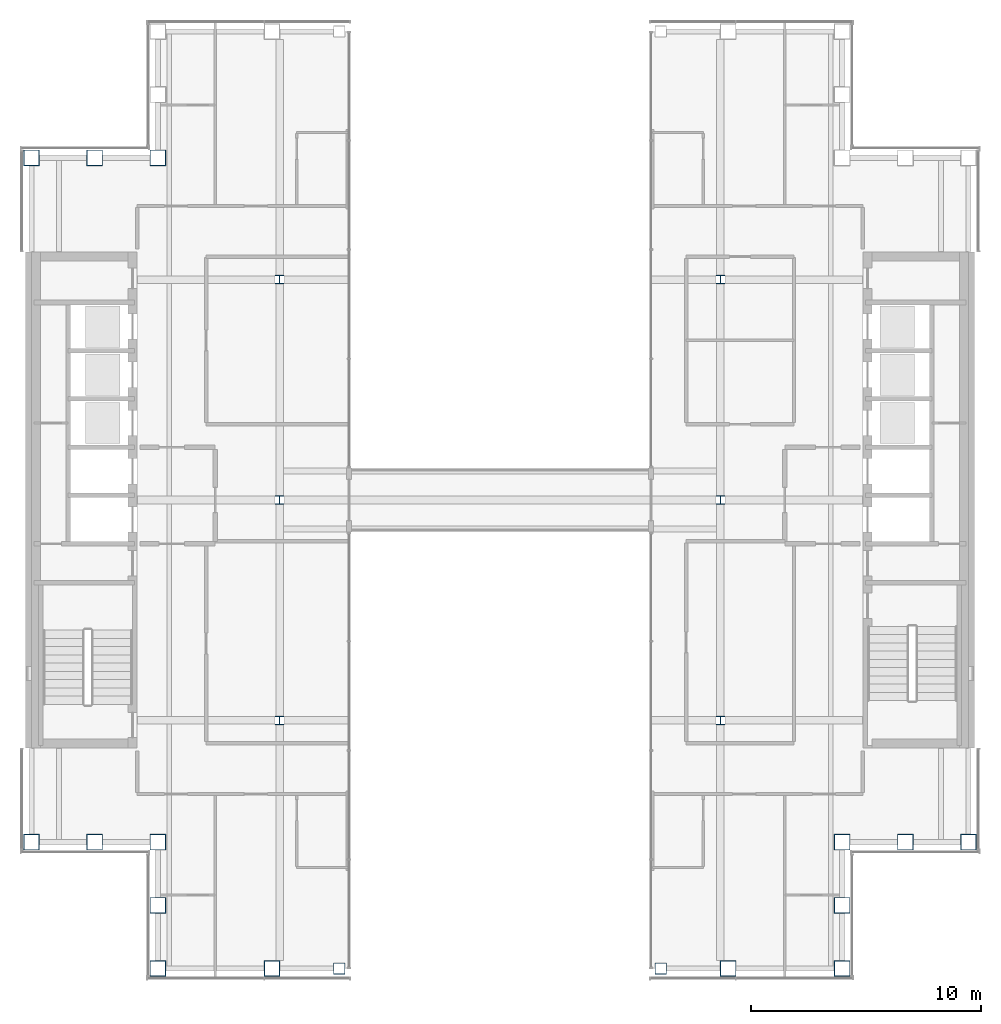
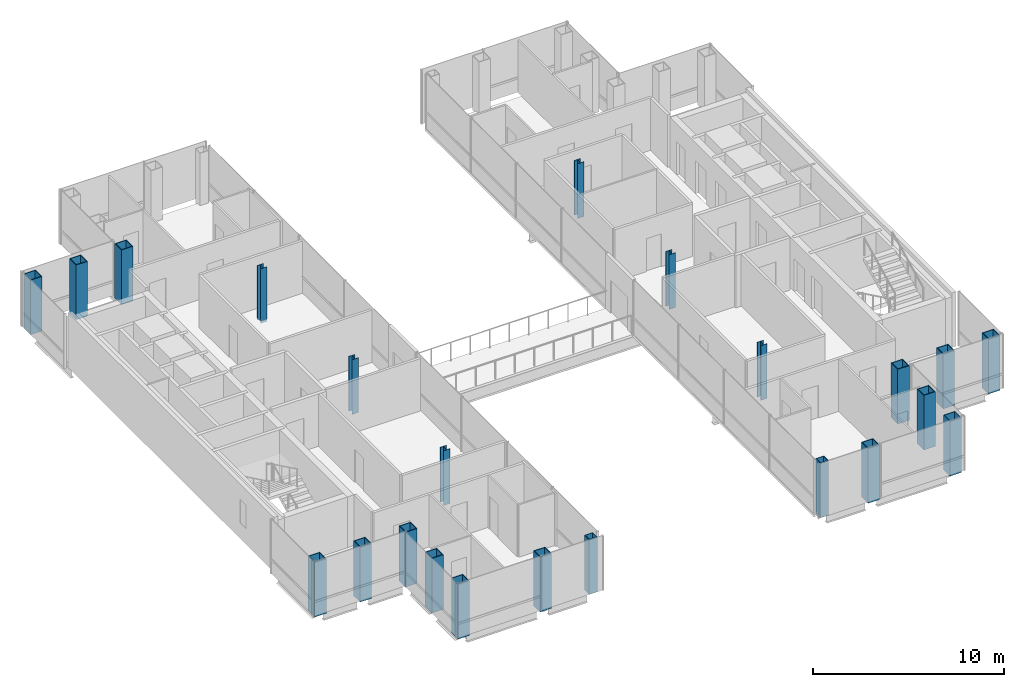
# One storey, part 1 of 15: 23 columns.
"""IFC4 building model written with IfcOpenShell, lengths in metres."""

from ifc_helpers import new_model, si_unit, direction, frame, origin, origin_2d, place, context, subcontext, project, spatial, hollow_rectangle, i_section, extrude, material, material_profile, profile_set, type_object, element, save


model = new_model("IFC4")

# Units and contexts
model_context = context("Model", 3, precision=1e-05, world=origin(), true_north=direction((0.0, 1.0)))
body_context = subcontext(model_context, "Body", "Model", "MODEL_VIEW")
ifc_project = project(units=[si_unit("LENGTHUNIT", "METRE"), si_unit("AREAUNIT", "SQUARE_METRE"), si_unit("VOLUMEUNIT", "CUBIC_METRE"), si_unit("PLANEANGLEUNIT", "RADIAN"), si_unit("MASSUNIT", "GRAM", prefix="KILO")], contexts=[model_context])

# Site, building, storey
site_placement = place(None, origin())
site = spatial("IfcSite", under=ifc_project, at=site_placement, CompositionType="ELEMENT")
building_placement = place(site_placement, origin())
building = spatial("IfcBuilding", under=site, at=building_placement, Name="Cobrizo Arcos Hotel Tower", CompositionType="ELEMENT")
storey_placement = place(building_placement, frame((0.0, 0.0, 222.5)))
storey = spatial("IfcBuildingStorey", under=building, at=storey_placement, Name="L58", CompositionType="ELEMENT", Elevation=222.5)

# Columns
ifc_material_1 = material(Name="Steel ASTM A572 Grade 50", Category="steel")
ifc_material_profile_1 = material_profile(ifc_material_1, hollow_rectangle(XDim=0.5, YDim=0.5, WallThickness=0.030029296875, at=origin_2d()), Name="BOX 500X500X30")
ifc_profile_set_1 = profile_set([ifc_material_profile_1], Name="Steel ASTM A572 Grade 50")
column_type_1 = type_object("IfcColumnType", Name="BOX 500X500X30 column", PredefinedType="COLUMN", material=ifc_profile_set_1)
for number, where, z_axis, x_axis, name in (
    (1, (-7.0, -20.39990234375, -0.14990234375), (0.0, 0.0, 1.0), (1.0, 0.0, 0.0), "Perimeter column C11, L58, no. 25"),
    (2, (7.0, -20.39990234375, -0.14990234375), (0.0, 0.0, 1.0), (1.0, 0.0, 0.0), "Perimeter column C11, L58, no. 27"),
):
    element("IfcColumn", number, at=place(storey_placement, frame(where, z_axis=z_axis, x_axis=x_axis)), inside=storey, type_object=column_type_1, Name=name, PredefinedType="COLUMN", context=body_context, shape_type="SweptSolid", body=[
        extrude(hollow_rectangle(XDim=0.5, YDim=0.5, WallThickness=0.030029296875, at=origin_2d()), origin(), (0.0, 0.0, 1.0), 3.5),
    ])
ifc_material_profile_2 = material_profile(ifc_material_1, hollow_rectangle(XDim=0.699951171875, YDim=0.699951171875, WallThickness=0.0400390625, at=origin_2d()), Name="BOX 700X700X40")
ifc_profile_set_2 = profile_set([ifc_material_profile_2], Name="Steel ASTM A572 Grade 50")
column_type_2 = type_object("IfcColumnType", Name="BOX 700X700X40 column", PredefinedType="COLUMN", material=ifc_profile_set_2)
for number, where, z_axis, x_axis, name in (
    (3, (-14.89990234375, -20.39990234375, -0.14990234375), (0.0, 0.0, 1.0), (1.0, 0.0, 0.0), "Perimeter column C10, L58, no. 01"),
    (4, (-9.93310546875, -20.39990234375, -0.14990234375), (0.0, 0.0, 1.0), (1.0, 0.0, 0.0), "Perimeter column C10, L58, no. 03"),
    (5, (9.93310546875, -20.39990234375, -0.14990234375), (0.0, 0.0, 1.0), (1.0, 0.0, 0.0), "Perimeter column C10, L58, no. 05"),
    (6, (14.89990234375, -20.39990234375, -0.14990234375), (0.0, 0.0, 1.0), (1.0, 0.0, 0.0), "Perimeter column C10, L58, no. 07"),
    (7, (20.39990234375, -14.89990234375, -0.14990234375), (0.0, 0.0, 1.0), (1.0, 0.0, 0.0), "Perimeter column C10, L58, no. 08"),
    (8, (-20.39990234375, -14.89990234375, -0.14990234375), (0.0, 0.0, 1.0), (1.0, 0.0, 0.0), "Perimeter column C10, L58, no. 09"),
    (9, (-20.39990234375, 14.89990234375, -0.14990234375), (0.0, 0.0, 1.0), (1.0, 0.0, 0.0), "Perimeter column C10, L58, no. 11"),
    (10, (-14.89990234375, -14.89990234375, -0.14990234375), (0.0, 0.0, 1.0), (1.0, 0.0, 0.0), "Perimeter column C10, L58, no. 12"),
    (11, (-14.89990234375, -17.64990234375, -0.14990234375), (0.0, 0.0, 1.0), (1.0, 0.0, 0.0), "Perimeter column C10, L58, no. 13"),
    (12, (-17.64990234375, -14.89990234375, -0.14990234375), (0.0, 0.0, 1.0), (1.0, 0.0, 0.0), "Perimeter column C10, L58, no. 14"),
    (13, (-14.89990234375, 14.89990234375, -0.14990234375), (0.0, 0.0, 1.0), (1.0, 0.0, 0.0), "Perimeter column C10, L58, no. 15"),
    (14, (-17.64990234375, 14.89990234375, -0.14990234375), (0.0, 0.0, 1.0), (1.0, 0.0, 0.0), "Perimeter column C10, L58, no. 17"),
    (15, (14.89990234375, -14.89990234375, -0.14990234375), (0.0, 0.0, 1.0), (1.0, 0.0, 0.0), "Perimeter column C10, L58, no. 18"),
    (16, (14.89990234375, -17.64990234375, -0.14990234375), (0.0, 0.0, 1.0), (1.0, 0.0, 0.0), "Perimeter column C10, L58, no. 19"),
    (17, (17.64990234375, -14.89990234375, -0.14990234375), (0.0, 0.0, 1.0), (1.0, 0.0, 0.0), "Perimeter column C10, L58, no. 20"),
):
    element("IfcColumn", number, at=place(storey_placement, frame(where, z_axis=z_axis, x_axis=x_axis)), inside=storey, type_object=column_type_2, Name=name, PredefinedType="COLUMN", context=body_context, shape_type="SweptSolid", body=[
        extrude(hollow_rectangle(XDim=0.699951171875, YDim=0.699951171875, WallThickness=0.0400390625, at=origin_2d()), origin(), (0.0, 0.0, 1.0), 3.5),
    ])
ifc_material_2 = material(Name="Steel ASTM A992 Grade 50", Category="steel")
ifc_material_profile_3 = material_profile(ifc_material_2, i_section(OverallWidth=0.373291015625, OverallDepth=0.373291015625, WebThickness=0.016357421875, FlangeThickness=0.026123046875, at=origin_2d()), Name="W14X132")
ifc_profile_set_3 = profile_set([ifc_material_profile_3], Name="Steel ASTM A992 Grade 50")
column_type_3 = type_object("IfcColumnType", Name="W14X132 interior column", PredefinedType="COLUMN", material=ifc_profile_set_3)
for number, where, z_axis, x_axis, name in (
    (18, (-9.60009765625, -9.60009765625, -0.14990234375), (0.0, 0.0, 1.0), (1.0, 0.0, 0.0), "Interior column C9, L58, no. 00"),
    (19, (-9.60009765625, 0.0, -0.14990234375), (0.0, 0.0, 1.0), (1.0, 0.0, 0.0), "Interior column C9, L58, no. 01"),
    (20, (-9.60009765625, 9.60009765625, -0.14990234375), (0.0, 0.0, 1.0), (1.0, 0.0, 0.0), "Interior column C9, L58, no. 02"),
    (21, (9.60009765625, -9.60009765625, -0.14990234375), (0.0, 0.0, 1.0), (1.0, 0.0, 0.0), "Interior column C9, L58, no. 03"),
    (22, (9.60009765625, 0.0, -0.14990234375), (0.0, 0.0, 1.0), (1.0, 0.0, 0.0), "Interior column C9, L58, no. 04"),
    (23, (9.60009765625, 9.60009765625, -0.14990234375), (0.0, 0.0, 1.0), (1.0, 0.0, 0.0), "Interior column C9, L58, no. 05"),
):
    element("IfcColumn", number, at=place(storey_placement, frame(where, z_axis=z_axis, x_axis=x_axis)), inside=storey, type_object=column_type_3, Name=name, PredefinedType="COLUMN", context=body_context, shape_type="SweptSolid", body=[
        extrude(i_section(OverallWidth=0.373291015625, OverallDepth=0.373291015625, WebThickness=0.016357421875, FlangeThickness=0.026123046875, at=origin_2d()), origin(), (0.0, 0.0, 1.0), 3.5),
    ])

save(model, "model.ifc")
